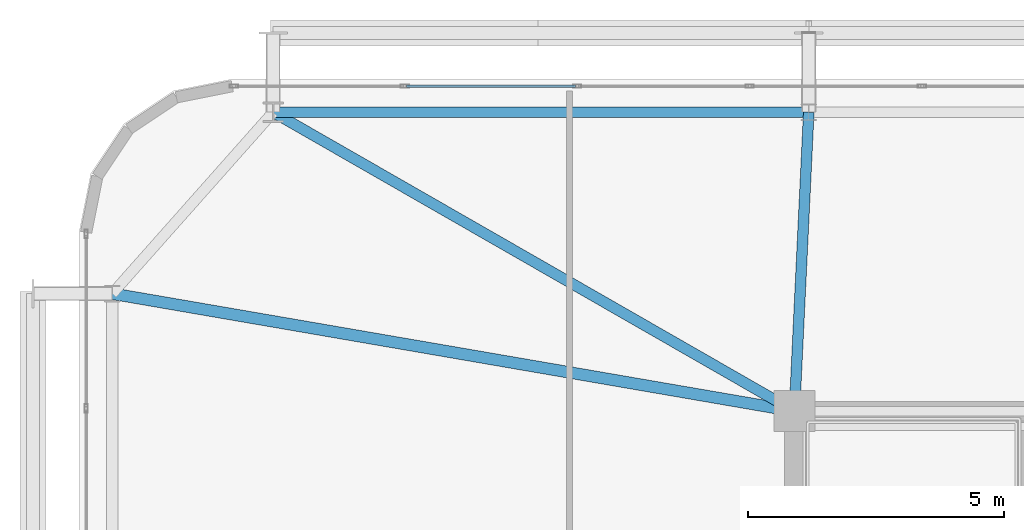
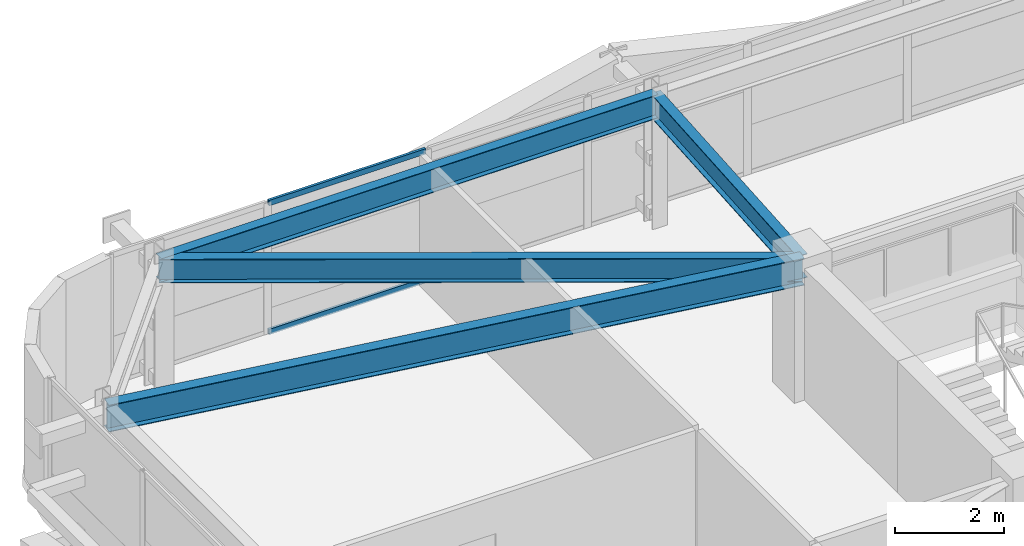
# One storey, part 34 of 58: 4 beams, 2 members, 1 element without a shape of its own.
"""IFC4 building model written with IfcOpenShell, lengths in metres."""

from ifc_helpers import new_model, si_unit, direction, frame, origin, origin_2d, place, context, subcontext, project, spatial, hollow_rectangle, i_section, extrude, source, transform, mapped, material, layer, layer_set, material_profile, profile_set, type_object, element, aggregate, save


model = new_model("IFC4")

# Units and contexts
model_context = context("Model", 3, precision=1e-05, world=origin(), true_north=direction((0.0, 1.0)))
body_context = subcontext(model_context, "Body", "Model", "MODEL_VIEW")
ifc_project = project(units=[si_unit("LENGTHUNIT", "METRE"), si_unit("AREAUNIT", "SQUARE_METRE"), si_unit("VOLUMEUNIT", "CUBIC_METRE"), si_unit("PLANEANGLEUNIT", "RADIAN"), si_unit("MASSUNIT", "GRAM", prefix="KILO")], contexts=[model_context])

# Site, building, storey
site_placement = place(None, origin())
site = spatial("IfcSite", under=ifc_project, at=site_placement, CompositionType="ELEMENT")
building_placement = place(site_placement, origin())
building = spatial("IfcBuilding", under=site, at=building_placement, Name="Taldren Reach Tower", CompositionType="ELEMENT")
storey_placement = place(building_placement, frame((0.0, 0.0, 54.60009765625)))
storey = spatial("IfcBuildingStorey", under=building, at=storey_placement, Name="L16", CompositionType="ELEMENT", Elevation=54.60009765625)

# Beams
ifc_material_1 = material(Name="Steel Gr 350 (350PLUS)", Category="steel")
ifc_material_profile_1 = material_profile(ifc_material_1, i_section(OverallWidth=0.208984375, OverallDepth=0.528076171875, WebThickness=0.009521484375, FlangeThickness=0.01318359375, at=origin_2d()), Name="530UB82.0")
ifc_profile_set_1 = profile_set([ifc_material_profile_1], Name="Steel Gr 350 (350PLUS)")
beam_type_1 = type_object("IfcBeamType", Name="SP-UB530B", PredefinedType="SPANDREL", material=ifc_profile_set_1)
shared_shape_1 = source(origin(), body_context, "Body", "SweptSolid", [
    extrude(i_section(OverallWidth=0.208984375, OverallDepth=0.528076171875, WebThickness=0.009521484375, FlangeThickness=0.01318359375, at=origin_2d()), origin(), (0.0, 0.0, 1.0), 10.47998046875),
])
beam_1_placement = place(storey_placement, frame((19.280029296875, 37.85009765625, 2.666015625), z_axis=(-1.0, 0.0, 0.0), x_axis=(0.0, -1.0, 0.0)))
element("IfcBeam", 1, at=beam_1_placement, inside=storey, type_object=beam_type_1, Name="Perimeter spandrel B1 N2-N1 L16", PredefinedType="SPANDREL", context=body_context, shape_type="MappedRepresentation", body=[
    mapped(shared_shape_1, transform((0.0, 0.0, 0.0), scale=1.0)),
])
ifc_material_profile_2 = material_profile(ifc_material_1, i_section(OverallWidth=0.22802734375, OverallDepth=0.60205078125, WebThickness=0.010498046875, FlangeThickness=0.014892578125, at=origin_2d()), Name="610UB101")
ifc_profile_set_2 = profile_set([ifc_material_profile_2], Name="Steel Gr 350 (350PLUS)")
beam_type_2 = type_object("IfcBeamType", Name="BM-UB610B", PredefinedType="BEAM", material=ifc_profile_set_2)
shared_shape_2 = source(origin(), body_context, "Body", "SweptSolid", [
    extrude(i_section(OverallWidth=0.22802734375, OverallDepth=0.60205078125, WebThickness=0.010498046875, FlangeThickness=0.014892578125, at=origin_2d()), origin(), (0.0, 0.0, 1.0), 13.546875),
])
beam_2_placement = place(storey_placement, frame((19.0, 32.0, 2.62890625), z_axis=(-0.985481022998, 0.169785609847, 0.0), x_axis=(-0.169785609847, -0.985481022998, 0.0)))
element("IfcBeam", 2, at=beam_2_placement, inside=storey, type_object=beam_type_2, Name="Primary floor girder B1-W3 L16", PredefinedType="BEAM", context=body_context, shape_type="MappedRepresentation", body=[
    mapped(shared_shape_2, transform((0.0, 0.0, 0.0), scale=1.0)),
])
ifc_material_profile_3 = material_profile(ifc_material_1, i_section(OverallWidth=0.208984375, OverallDepth=0.532958984375, WebThickness=0.01025390625, FlangeThickness=0.015625, at=origin_2d()), Name="530UB92.4")
ifc_profile_set_3 = profile_set([ifc_material_profile_3], Name="Steel Gr 350 (350PLUS)")
beam_type_3 = type_object("IfcBeamType", Name="BM-UB530A", PredefinedType="BEAM", material=ifc_profile_set_3)
shared_shape_3 = source(origin(), body_context, "Body", "SweptSolid", [
    extrude(i_section(OverallWidth=0.208984375, OverallDepth=0.532958984375, WebThickness=0.01025390625, FlangeThickness=0.015625, at=origin_2d()), origin(), (0.0, 0.0, 1.0), 11.758544921875),
])
beam_3_placement = place(storey_placement, frame((19.0, 32.0, 2.663330078125), z_axis=(-0.867452414141, 0.497520159593, 0.0), x_axis=(-0.497520159593, -0.867452414141, 0.0)))
element("IfcBeam", 3, at=beam_3_placement, inside=storey, type_object=beam_type_3, Name="Primary floor girder B1-N1 L16", PredefinedType="BEAM", context=body_context, shape_type="MappedRepresentation", body=[
    mapped(shared_shape_3, transform((0.0, 0.0, 0.0), scale=1.0)),
])
shared_shape_4 = source(origin(), body_context, "Body", "SweptSolid", [
    extrude(i_section(OverallWidth=0.208984375, OverallDepth=0.532958984375, WebThickness=0.01025390625, FlangeThickness=0.015625, at=origin_2d()), origin(), (0.0, 0.0, 1.0), 5.856689453125),
])
beam_4_placement = place(storey_placement, frame((19.0, 32.0, 2.663330078125), z_axis=(0.047812711672, 0.998856318297, 0.0), x_axis=(-0.998856318297, 0.047812711672, 0.0)))
element("IfcBeam", 4, at=beam_4_placement, inside=storey, type_object=beam_type_3, Name="Primary floor girder B1-N2 L16", PredefinedType="BEAM", context=body_context, shape_type="MappedRepresentation", body=[
    mapped(shared_shape_4, transform((0.0, 0.0, 0.0), scale=1.0)),
])

# Curtain wall, members
ifc_material_2 = material(Name="Aluminium and Low-E Glass Unitised System", Category="aluminium")
ifc_layer = layer(ifc_material_2, 0.159912109375)
ifc_layer_set = layer_set([ifc_layer], Name="Aluminium and Low-E Glass Unitised System")
curtain_wall_type = type_object("IfcCurtainWallType", Name="CW-SYS-2", PredefinedType="NOTDEFINED", material=ifc_layer_set)
curtain_wall_placement = place(storey_placement, origin())
curtain_wall = element("IfcCurtainWall", 5, at=curtain_wall_placement, inside=storey, type_object=curtain_wall_type, Name="Unitised curtain wall CW-L16-N", PredefinedType="NOTDEFINED")
ifc_material_3 = material(Name="Anodised Aluminium 6063-T6", Category="aluminium")
ifc_material_profile_4 = material_profile(ifc_material_3, hollow_rectangle(XDim=0.054931640625, YDim=0.1201171875, WallThickness=0.0029296875, at=origin_2d()), Name="ALU-120x55x3RHS")
ifc_profile_set_4 = profile_set([ifc_material_profile_4], Name="Anodised Aluminium 6063-T6")
member_type = type_object("IfcMemberType", Name="CW-TRN-135", PredefinedType="USERDEFINED", material=ifc_profile_set_4)
shared_shape_5 = source(origin(), body_context, "Body", "SweptSolid", [
    extrude(hollow_rectangle(XDim=0.054931640625, YDim=0.1201171875, WallThickness=0.0029296875, at=origin_2d()), origin(), (0.0, 0.0, 1.0), 3.31005859375),
])
member_1_placement = place(storey_placement, frame((14.717529296875, 38.360107421875, 0.02734375), z_axis=(-1.0, 0.0, 0.0), x_axis=(0.0, -1.0, 0.0)))
member_1 = element("IfcMember", 6, at=member_1_placement, type_object=member_type, Name="CW-2 transom 15.1", ObjectType="TRANSOM", PredefinedType="USERDEFINED", context=body_context, shape_type="MappedRepresentation", body=[
    mapped(shared_shape_5, transform((0.0, 0.0, 0.0), scale=1.0)),
])
member_2_placement = place(storey_placement, frame((14.717529296875, 38.360107421875, 2.90234375), z_axis=(-1.0, 0.0, 0.0), x_axis=(0.0, -1.0, 0.0)))
member_2 = element("IfcMember", 7, at=member_2_placement, type_object=member_type, Name="CW-2 transom 15.2", ObjectType="TRANSOM", PredefinedType="USERDEFINED", context=body_context, shape_type="MappedRepresentation", body=[
    mapped(shared_shape_5, transform((0.0, 0.0, 0.0), scale=1.0)),
])
aggregate(curtain_wall, [member_1, member_2])

save(model, "model.ifc")
